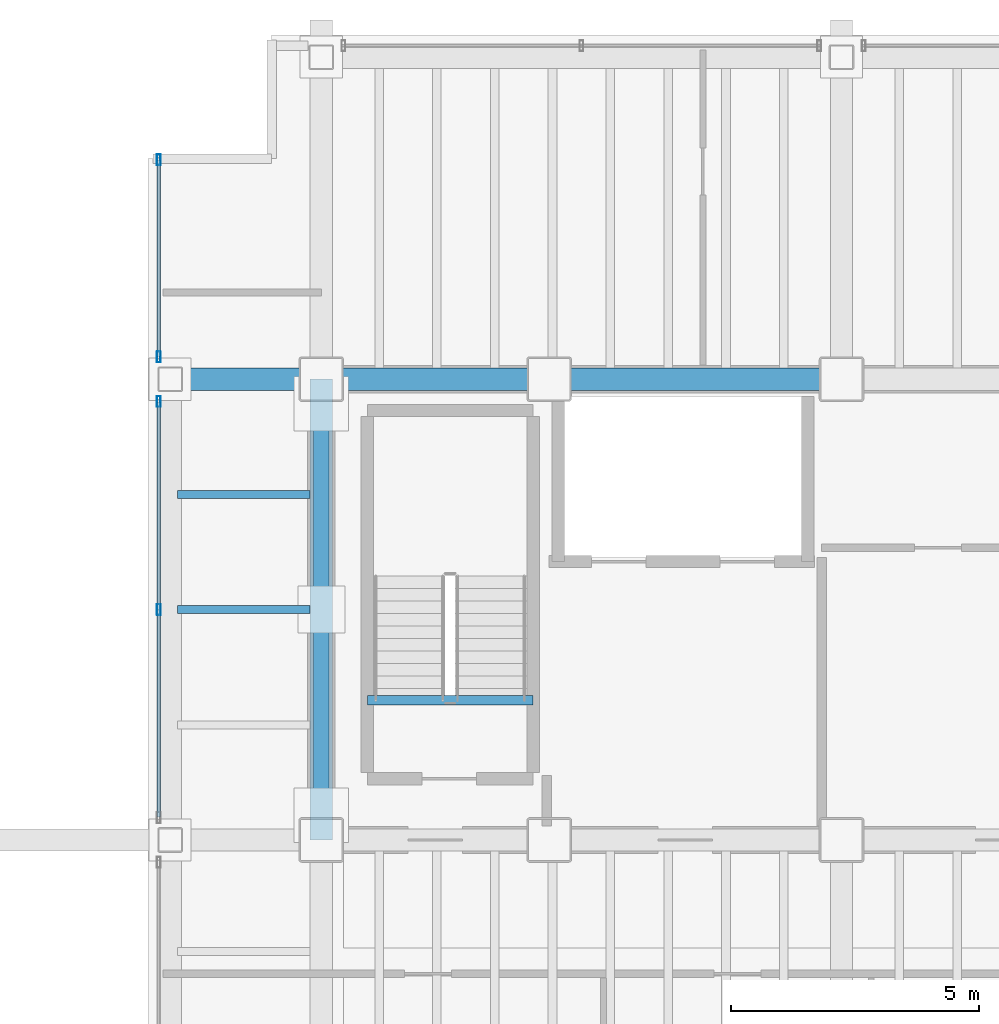
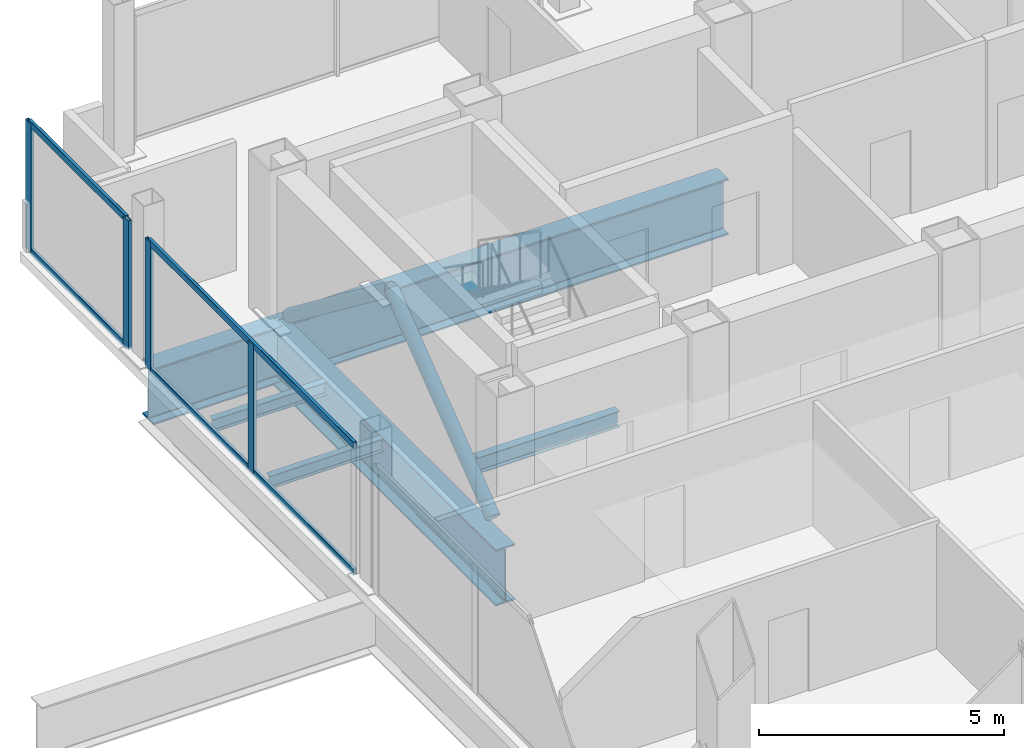
# One storey, part 8 of 19: 10 members, 6 beams, 2 elements without a shape of their own.
"""IFC4 building model written with IfcOpenShell, lengths in metres."""

from ifc_helpers import new_model, si_unit, direction, frame, origin, origin_2d, place, context, subcontext, project, spatial, hollow_rectangle, hollow_circle, i_section, extrude, material, material_profile, profile_set, type_object, element, aggregate, save


model = new_model("IFC4")

# Units and contexts
model_context = context("Model", 3, precision=1e-05, world=origin(), true_north=direction((0.0, 1.0)))
body_context = subcontext(model_context, "Body", "Model", "MODEL_VIEW")
ifc_project = project(units=[si_unit("LENGTHUNIT", "METRE"), si_unit("AREAUNIT", "SQUARE_METRE"), si_unit("VOLUMEUNIT", "CUBIC_METRE"), si_unit("PLANEANGLEUNIT", "RADIAN"), si_unit("MASSUNIT", "GRAM", prefix="KILO")], contexts=[model_context])

# Site, building, storey
site_placement = place(None, origin())
site = spatial("IfcSite", under=ifc_project, at=site_placement, CompositionType="ELEMENT")
building_placement = place(site_placement, origin())
building = spatial("IfcBuilding", under=site, at=building_placement, Name="Noeulbin Bourse Tower", CompositionType="ELEMENT")
storey_placement = place(building_placement, frame((0.0, 0.0, 169.5)))
storey = spatial("IfcBuildingStorey", under=building, at=storey_placement, Name="L42", CompositionType="ELEMENT", Elevation=169.5)

# Beams
ifc_material_1 = material(Name="Steel S355", Category="steel")
ifc_material_profile_1 = material_profile(ifc_material_1, i_section(OverallWidth=0.159912109375, OverallDepth=0.320068359375, WebThickness=0.006591796875, FlangeThickness=0.010009765625, FilletRadius=0.012939453125, at=origin_2d()), Name="H-320x160x6.5x10", Category="LoadBearing")
ifc_profile_set_1 = profile_set([ifc_material_profile_1], Name="Steel S355")
beam_type_1 = type_object("IfcBeamType", Name="BM-JST-320", PredefinedType="JOIST", material=ifc_profile_set_1)
for number, where, z_axis, x_axis, name in (
    (1, (10.60009765625, 33.64990234375, -0.39990234375), (1.0, 0.0, 0.0), (0.0, 1.0, 0.0), "Wing Composite Joist L42-W69"),
    (2, (10.60009765625, 35.97509765625, -0.39990234375), (1.0, 0.0, 0.0), (0.0, 1.0, 0.0), "Wing Composite Joist L42-W70"),
):
    element("IfcBeam", number, at=place(storey_placement, frame(where, z_axis=z_axis, x_axis=x_axis)), inside=storey, type_object=beam_type_1, Name=name, PredefinedType="JOIST", context=body_context, shape_type="SweptSolid", body=[
        extrude(i_section(OverallWidth=0.159912109375, OverallDepth=0.320068359375, WebThickness=0.006591796875, FlangeThickness=0.010009765625, FilletRadius=0.012939453125, at=origin_2d()), origin(), (0.0, 0.0, 1.0), 2.6748046875),
    ])
ifc_material_profile_2 = material_profile(ifc_material_1, i_section(OverallWidth=0.199951171875, OverallDepth=0.39990234375, WebThickness=0.008056640625, FlangeThickness=0.012939453125, FilletRadius=0.01611328125, at=origin_2d()), Name="H-400x200x8x13", Category="LoadBearing")
ifc_profile_set_2 = profile_set([ifc_material_profile_2], Name="Steel S355")
beam_type_2 = type_object("IfcBeamType", Name="BM-SEC-400", PredefinedType="BEAM", material=ifc_profile_set_2)
beam_1_placement = place(storey_placement, frame((14.429931640625, 31.820068359375, -0.199951171875), z_axis=(1.0, 0.0, 0.0), x_axis=(0.0, 1.0, 0.0)))
element("IfcBeam", 3, at=beam_1_placement, inside=storey, type_object=beam_type_2, Name="Stair Threshold Trimmer Beam ST1-L42", PredefinedType="BEAM", context=body_context, shape_type="SweptSolid", body=[
    extrude(i_section(OverallWidth=0.199951171875, OverallDepth=0.39990234375, WebThickness=0.008056640625, FlangeThickness=0.012939453125, FilletRadius=0.01611328125, at=origin_2d()), origin(), (0.0, 0.0, 1.0), 3.340087890625),
])
ifc_material_2 = material(Name="Steel S460", Category="steel")
ifc_material_profile_3 = material_profile(ifc_material_2, i_section(OverallWidth=0.449951171875, OverallDepth=1.39990234375, WebThickness=0.02392578125, FlangeThickness=0.0400390625, FilletRadius=0.02392578125, at=origin_2d()), Name="PG-1400x450x24x40", Category="LoadBearing")
ifc_profile_set_3 = profile_set([ifc_material_profile_3], Name="Steel S460")
beam_type_3 = type_object("IfcBeamType", Name="BM-TRF-1400", PredefinedType="USERDEFINED", material=ifc_profile_set_3)
beam_2_placement = place(storey_placement, frame((10.449951171875, 38.300048828125, -0.93994140625), z_axis=(1.0, 0.0, 0.0), x_axis=(0.0, 1.0, 0.0)))
element("IfcBeam", 4, at=beam_2_placement, inside=storey, type_object=beam_type_3, Name="Tower Primary Girder EW L42-3.1", ObjectType="GIRDER", PredefinedType="USERDEFINED", context=body_context, shape_type="SweptSolid", body=[
    extrude(i_section(OverallWidth=0.449951171875, OverallDepth=1.39990234375, WebThickness=0.02392578125, FlangeThickness=0.0400390625, FilletRadius=0.02392578125, at=origin_2d()), origin(), (0.0, 0.0, 1.0), 3.050048828125),
])
beam_3_placement = place(storey_placement, frame((13.5, 38.300048828125, -0.93994140625), z_axis=(1.0, 0.0, 0.0), x_axis=(0.0, 1.0, 0.0)))
element("IfcBeam", 5, at=beam_3_placement, inside=storey, type_object=beam_type_3, Name="Tower Primary Girder EW L42-3.2", ObjectType="GIRDER", PredefinedType="USERDEFINED", context=body_context, shape_type="SweptSolid", body=[
    extrude(i_section(OverallWidth=0.449951171875, OverallDepth=1.39990234375, WebThickness=0.02392578125, FlangeThickness=0.0400390625, FilletRadius=0.02392578125, at=origin_2d()), origin(), (0.0, 0.0, 1.0), 10.5),
])
beam_4_placement = place(storey_placement, frame((13.5, 29.0, -0.93994140625), z_axis=(0.0, 1.0, 0.0), x_axis=(-1.0, 0.0, 0.0)))
element("IfcBeam", 6, at=beam_4_placement, inside=storey, type_object=beam_type_3, Name="Tower Primary Girder NS L42-1.3", ObjectType="GIRDER", PredefinedType="USERDEFINED", context=body_context, shape_type="SweptSolid", body=[
    extrude(i_section(OverallWidth=0.449951171875, OverallDepth=1.39990234375, WebThickness=0.02392578125, FlangeThickness=0.0400390625, FilletRadius=0.02392578125, at=origin_2d()), origin(), (0.0, 0.0, 1.0), 9.300048828125),
])

# Curtain wall, members
ifc_material_3 = material(Name="Dark Tinted Triple Glazing", Category="glass")
curtain_wall_type = type_object("IfcCurtainWallType", Name="CW-SYS-3", PredefinedType="NOTDEFINED", material=ifc_material_3)
curtain_wall_1_placement = place(storey_placement, origin())
curtain_wall_1 = element("IfcCurtainWall", 7, at=curtain_wall_1_placement, inside=storey, type_object=curtain_wall_type, Name="Unitised Curtain Wall CW-L42-W-S2", PredefinedType="NOTDEFINED")
ifc_material_4 = material(Name="Anodised Aluminium 6063-T6", Category="aluminium")
ifc_material_profile_4 = material_profile(ifc_material_4, hollow_rectangle(XDim=0.074951171875, YDim=0.219970703125, WallThickness=0.0048828125, InnerFilletRadius=0.00244140625, OuterFilletRadius=0.0048828125, at=origin_2d()), Name="ALU-MULL-75x220x5", Category="LoadBearing")
ifc_profile_set_4 = profile_set([ifc_material_profile_4], Name="Anodised Aluminium 6063-T6")
member_type_1 = type_object("IfcMemberType", Name="CW-SYS-3-MUL", PredefinedType="MULLION", material=ifc_profile_set_4)
member_1_placement = place(storey_placement, frame((10.219970703125, 33.64990234375, -0.02001953125), z_axis=(0.0, 0.0, 1.0), x_axis=(1.0, 0.0, 0.0)))
member_1 = element("IfcMember", 8, at=member_1_placement, type_object=member_type_1, Name="Curtain Wall Mullion CW-L42-W-S2-M01", PredefinedType="MULLION", context=body_context, shape_type="SweptSolid", body=[
    extrude(hollow_rectangle(XDim=0.074951171875, YDim=0.219970703125, WallThickness=0.0048828125, InnerFilletRadius=0.00244140625, OuterFilletRadius=0.0048828125, at=origin_2d()), origin(), (0.0, 0.0, 1.0), 3.219970703125),
])
member_2_placement = place(storey_placement, frame((10.219970703125, 37.85009765625, -0.02001953125), z_axis=(0.0, 0.0, 1.0), x_axis=(1.0, 0.0, 0.0)))
member_2 = element("IfcMember", 9, at=member_2_placement, type_object=member_type_1, Name="Curtain Wall Mullion CW-L42-W-S2-M02", PredefinedType="MULLION", context=body_context, shape_type="SweptSolid", body=[
    extrude(hollow_rectangle(XDim=0.074951171875, YDim=0.219970703125, WallThickness=0.0048828125, InnerFilletRadius=0.00244140625, OuterFilletRadius=0.0048828125, at=origin_2d()), origin(), (0.0, 0.0, 1.0), 3.219970703125),
])

curtain_wall_2_placement = place(storey_placement, origin())
curtain_wall_2 = element("IfcCurtainWall", 10, at=curtain_wall_2_placement, inside=storey, type_object=curtain_wall_type, Name="Unitised Curtain Wall CW-L42-W-S3", PredefinedType="NOTDEFINED")
member_3_placement = place(storey_placement, frame((10.219970703125, 38.75, -0.02001953125), z_axis=(0.0, 0.0, 1.0), x_axis=(1.0, 0.0, 0.0)))
member_3 = element("IfcMember", 11, at=member_3_placement, type_object=member_type_1, Name="Curtain Wall Mullion CW-L42-W-S3-M00", PredefinedType="MULLION", context=body_context, shape_type="SweptSolid", body=[
    extrude(hollow_rectangle(XDim=0.074951171875, YDim=0.219970703125, WallThickness=0.0048828125, InnerFilletRadius=0.00244140625, OuterFilletRadius=0.0048828125, at=origin_2d()), origin(), (0.0, 0.0, 1.0), 3.219970703125),
])
member_4_placement = place(storey_placement, frame((10.219970703125, 42.72998046875, -0.02001953125), z_axis=(0.0, 0.0, 1.0), x_axis=(1.0, 0.0, 0.0)))
member_4 = element("IfcMember", 12, at=member_4_placement, type_object=member_type_1, Name="Curtain Wall Mullion CW-L42-W-S3-M01", PredefinedType="MULLION", context=body_context, shape_type="SweptSolid", body=[
    extrude(hollow_rectangle(XDim=0.074951171875, YDim=0.219970703125, WallThickness=0.0048828125, InnerFilletRadius=0.00244140625, OuterFilletRadius=0.0048828125, at=origin_2d()), origin(), (0.0, 0.0, 1.0), 3.219970703125),
])

# Member
ifc_material_profile_5 = material_profile(ifc_material_4, hollow_rectangle(XDim=0.074951171875, YDim=0.159912109375, WallThickness=0.0048828125, InnerFilletRadius=0.00244140625, OuterFilletRadius=0.0048828125, at=origin_2d()), Name="ALU-TRAN-75x160x5", Category="LoadBearing")
ifc_profile_set_5 = profile_set([ifc_material_profile_5], Name="Anodised Aluminium 6063-T6")
member_type_2 = type_object("IfcMemberType", Name="CW-SYS-3-TRN", PredefinedType="USERDEFINED", material=ifc_profile_set_5)
member_5_placement = place(storey_placement, frame((10.219970703125, 29.4599609375, 0.010009765625), z_axis=(0.0, 1.0, 0.0), x_axis=(-1.0, 0.0, 0.0)))
member_5 = element("IfcMember", 13, at=member_5_placement, type_object=member_type_2, Name="Curtain Wall Transom CW-L42-W-S2-T00", ObjectType="TRANSOM", PredefinedType="USERDEFINED", context=body_context, shape_type="SweptSolid", body=[
    extrude(hollow_rectangle(XDim=0.074951171875, YDim=0.159912109375, WallThickness=0.0048828125, InnerFilletRadius=0.00244140625, OuterFilletRadius=0.0048828125, at=origin_2d()), origin(), (0.0, 0.0, 1.0), 8.380126953125),
])

member_6_placement = place(storey_placement, frame((10.219970703125, 29.4599609375, 3.169921875), z_axis=(0.0, 1.0, 0.0), x_axis=(-1.0, 0.0, 0.0)))
member_6 = element("IfcMember", 14, at=member_6_placement, type_object=member_type_2, Name="Curtain Wall Transom CW-L42-W-S2-T01", ObjectType="TRANSOM", PredefinedType="USERDEFINED", context=body_context, shape_type="SweptSolid", body=[
    extrude(hollow_rectangle(XDim=0.074951171875, YDim=0.159912109375, WallThickness=0.0048828125, InnerFilletRadius=0.00244140625, OuterFilletRadius=0.0048828125, at=origin_2d()), origin(), (0.0, 0.0, 1.0), 8.380126953125),
])

aggregate(curtain_wall_1, [member_1, member_2, member_5, member_6])

member_7_placement = place(storey_placement, frame((10.219970703125, 38.760009765625, 0.010009765625), z_axis=(0.0, 1.0, 0.0), x_axis=(-1.0, 0.0, 0.0)))
member_7 = element("IfcMember", 15, at=member_7_placement, type_object=member_type_2, Name="Curtain Wall Transom CW-L42-W-S3-T00", ObjectType="TRANSOM", PredefinedType="USERDEFINED", context=body_context, shape_type="SweptSolid", body=[
    extrude(hollow_rectangle(XDim=0.074951171875, YDim=0.159912109375, WallThickness=0.0048828125, InnerFilletRadius=0.00244140625, OuterFilletRadius=0.0048828125, at=origin_2d()), origin(), (0.0, 0.0, 1.0), 3.9599609375),
])

member_8_placement = place(storey_placement, frame((10.219970703125, 38.760009765625, 3.169921875), z_axis=(0.0, 1.0, 0.0), x_axis=(-1.0, 0.0, 0.0)))
member_8 = element("IfcMember", 16, at=member_8_placement, type_object=member_type_2, Name="Curtain Wall Transom CW-L42-W-S3-T01", ObjectType="TRANSOM", PredefinedType="USERDEFINED", context=body_context, shape_type="SweptSolid", body=[
    extrude(hollow_rectangle(XDim=0.074951171875, YDim=0.159912109375, WallThickness=0.0048828125, InnerFilletRadius=0.00244140625, OuterFilletRadius=0.0048828125, at=origin_2d()), origin(), (0.0, 0.0, 1.0), 3.9599609375),
])

aggregate(curtain_wall_2, [member_3, member_4, member_7, member_8])

# Members
ifc_material_profile_6 = material_profile(ifc_material_1, hollow_circle(Radius=0.1591796875, WallThickness=0.01025390625, at=origin_2d()), Name="CHS-318.5x10.3", Category="LoadBearing")
ifc_profile_set_6 = profile_set([ifc_material_profile_6], Name="Steel S355")
member_type_3 = type_object("IfcMemberType", Name="MEM-EXO-318", PredefinedType="BRACE", material=ifc_profile_set_6)
member_9_placement = place(storey_placement, frame((13.5, 29.5, 0.199951171875), z_axis=(0.0, 0.794661610537, 0.607052654008), x_axis=(-1.0, 0.0, 0.0)))
element("IfcMember", 17, at=member_9_placement, inside=storey, type_object=member_type_3, Name="Core Flank Chevron Brace XT-L42-W1", PredefinedType="BRACE", context=body_context, shape_type="SweptSolid", body=[
    extrude(hollow_circle(Radius=0.1591796875, WallThickness=0.01025390625, at=origin_2d()), origin(), (0.0, 0.0, 1.0), 5.22216796875),
])
member_10_placement = place(storey_placement, frame((13.5, 33.64990234375, 3.3701171875), z_axis=(0.0, 0.794678837667, -0.607030102189), x_axis=(-1.0, 0.0, 0.0)))
element("IfcMember", 18, at=member_10_placement, inside=storey, type_object=member_type_3, Name="Core Flank Chevron Brace XT-L42-W2", PredefinedType="BRACE", context=body_context, shape_type="SweptSolid", body=[
    extrude(hollow_circle(Radius=0.1591796875, WallThickness=0.01025390625, at=origin_2d()), origin(), (0.0, 0.0, 1.0), 5.222412109375),
])

save(model, "model.ifc")
